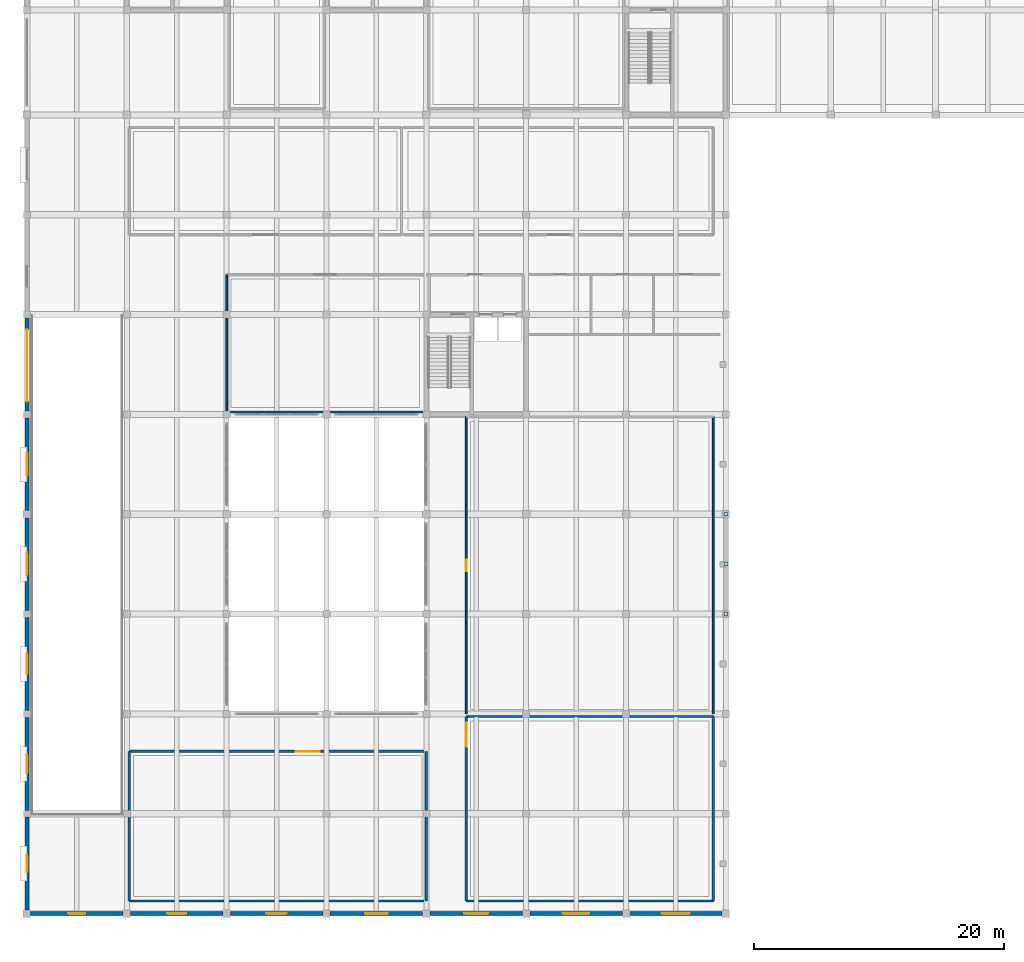
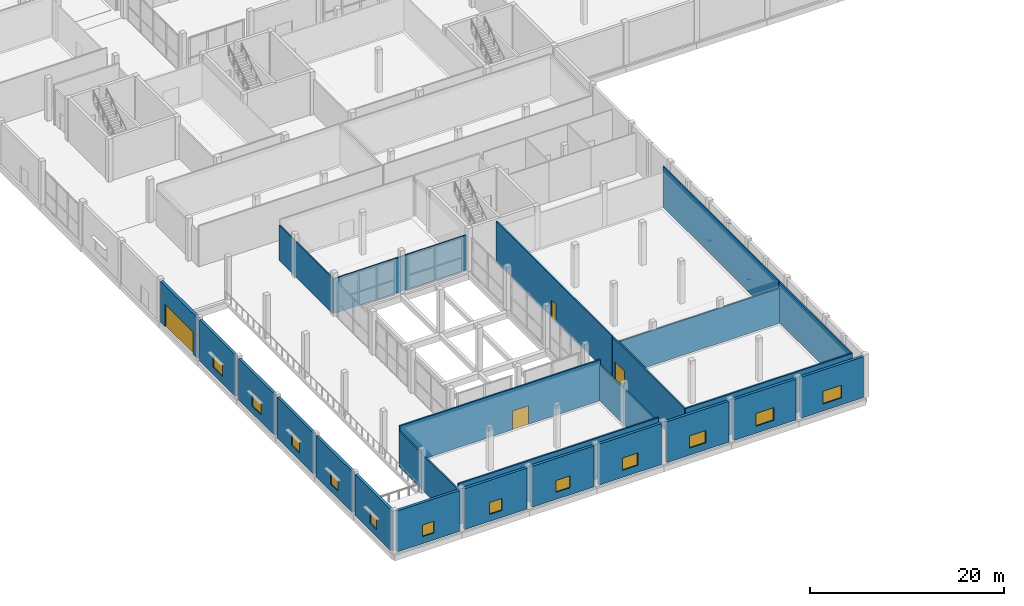
# One storey, part 23 of 41: 25 walls, 12 windows, 4 doors, 3 plates, 16 openings.
"""IFC4 building model written with IfcOpenShell, lengths in metres."""

from ifc_helpers import new_model, si_unit, direction, frame, frame_2d, origin, origin_2d, place, context, subcontext, project, spatial, rectangle, extrude, material, layer, layer_set, type_object, element, fill, save


model = new_model("IFC4")

# Units and contexts
model_context = context("Model", 3, precision=1e-05, world=origin(), true_north=direction((0.0, 1.0)))
body_context = subcontext(model_context, "Body", "Model", "MODEL_VIEW")
ifc_project = project(units=[si_unit("LENGTHUNIT", "METRE"), si_unit("AREAUNIT", "SQUARE_METRE"), si_unit("VOLUMEUNIT", "CUBIC_METRE"), si_unit("PLANEANGLEUNIT", "RADIAN"), si_unit("MASSUNIT", "GRAM", prefix="KILO")], contexts=[model_context])

# Site, building, storey
site_placement = place(None, origin())
site = spatial("IfcSite", under=ifc_project, at=site_placement, CompositionType="ELEMENT")
building_placement = place(site_placement, origin())
building = spatial("IfcBuilding", under=site, at=building_placement, Name="Vharandega Faculty of Natural Sciences", CompositionType="ELEMENT")
storey_placement = place(building_placement, origin())
storey = spatial("IfcBuildingStorey", under=building, at=storey_placement, Name="L00", CompositionType="ELEMENT", Elevation=0.0)

# Plates
ifc_material_1 = material(Name="Steel S355", Category="steel")
ifc_layer_1 = layer(ifc_material_1, 0.02490234375, Name="Steel S355")
ifc_layer_set_1 = layer_set([ifc_layer_1], Name="Steel S355")
plate_type = type_object("IfcPlateType", Name="Hollow Section End Cap Plate 25mm", PredefinedType="USERDEFINED", material=ifc_layer_set_1)
plate_1_placement = place(storey_placement, frame((56.0, 24.0, 0.137451171875), z_axis=(0.0, 0.0, 1.0), x_axis=(1.0, 0.0, 0.0)))
element("IfcPlate", 1, at=plate_1_placement, inside=storey, type_object=plate_type, Name="Node Cap Plate CHV-E8-L00 #119", ObjectType="CAP PLATE", PredefinedType="USERDEFINED", context=body_context, shape_type="SweptSolid", body=[
    extrude(rectangle(XDim=0.300048828125, YDim=0.300048828125, at=origin_2d()), origin(), (0.0, 0.0, 1.0), 0.02490234375),
])
plate_2_placement = place(storey_placement, frame((56.0, 28.0, 4.757568359375), z_axis=(0.0, 0.0, 1.0), x_axis=(1.0, 0.0, 0.0)))
element("IfcPlate", 2, at=plate_2_placement, inside=storey, type_object=plate_type, Name="Node Cap Plate CHV-E8-L00 #120", ObjectType="CAP PLATE", PredefinedType="USERDEFINED", context=body_context, shape_type="SweptSolid", body=[
    extrude(rectangle(XDim=0.320068359375, YDim=0.320068359375, at=origin_2d()), origin(), (0.0, 0.0, 1.0), 0.02490234375),
])
plate_3_placement = place(storey_placement, frame((56.0, 32.0, 0.137451171875), z_axis=(0.0, 0.0, 1.0), x_axis=(1.0, 0.0, 0.0)))
element("IfcPlate", 3, at=plate_3_placement, inside=storey, type_object=plate_type, Name="Node Cap Plate CHV-E8-L00 #121", ObjectType="CAP PLATE", PredefinedType="USERDEFINED", context=body_context, shape_type="SweptSolid", body=[
    extrude(rectangle(XDim=0.300048828125, YDim=0.300048828125, at=origin_2d()), origin(), (0.0, 0.0, 1.0), 0.02490234375),
])

# Wall
ifc_material_2 = material(Name="Acoustic masonry blockwork 15 MPa", Category="masonry")
ifc_layer_2 = layer(ifc_material_2, 0.179931640625, Name="Acoustic masonry blockwork 15 MPa")
ifc_layer_set_2 = layer_set([ifc_layer_2], Name="Acoustic masonry blockwork 15 MPa")
wall_type_1 = type_object("IfcWallType", Name="Acoustic Lecture Wall 180", PredefinedType="PARTITIONING", material=ifc_layer_set_2)
wall_1_placement = place(storey_placement, frame((8.199951171875, 1.0, 0.0), z_axis=(0.0, 0.0, 1.0), x_axis=(1.0, 0.0, 0.0)))
element("IfcWall", 4, at=wall_1_placement, inside=storey, type_object=wall_type_1, Name="Interior Wall PW-L00-R01S", PredefinedType="PARTITIONING", context=body_context, shape_type="SweptSolid", body=[
    extrude(rectangle(XDim=23.800048828125, YDim=0.179931640625, at=frame_2d((11.89990234375, 0.0))), origin(), (0.0, 0.0, 1.0), 5.139892578125),
])

# Wall, opening, door
wall_2_placement = place(storey_placement, frame((8.199951171875, 13.0, 0.0), z_axis=(0.0, 0.0, 1.0), x_axis=(1.0, 0.0, 0.0)))
wall_2 = element("IfcWall", 5, at=wall_2_placement, inside=storey, type_object=wall_type_1, Name="Interior Wall PW-L00-R01N", PredefinedType="PARTITIONING", context=body_context, shape_type="SweptSolid", body=[
    extrude(rectangle(XDim=23.800048828125, YDim=0.179931640625, at=frame_2d((11.89990234375, 0.0))), origin(), (0.0, 0.0, 1.0), 5.139892578125),
])
opening_1_placement = place(wall_2_placement, frame((13.324951171875, 0.0, 0.0)))
opening_1 = element("IfcOpeningElement", 6, at=opening_1_placement, cuts=wall_2, Name="Opening D0229", PredefinedType="OPENING", context=body_context, shape_type="SweptSolid", body=[
    extrude(rectangle(XDim=1.949951171875, YDim=2.35009765625, at=frame_2d((0.97509765625, 1.175048828125))), frame((0.0, 0.10009765625, 0.0), z_axis=(0.0, -1.0, 0.0), x_axis=(1.0, 0.0, 0.0)), (0.0, 0.0, 1.0), 0.199951171875),
])
ifc_material_3 = material(Name="Solid-core hardwood timber fire door", Category="wood")
door_type_1 = type_object("IfcDoorType", Name="ID10-WORKSHOP-DBL-1950x2350", OperationType="DOUBLE_DOOR_SINGLE_SWING", PredefinedType="DOOR", material=ifc_material_3)
door_1_placement = place(opening_1_placement, origin())
door_1 = element("IfcDoor", 7, at=door_1_placement, inside=storey, type_object=door_type_1, Name="Geology Rock-Cutting and Thin-Section Workshop Door D0229", OperationType="DOUBLE_DOOR_SINGLE_SWING", OverallHeight=2.35009765625, OverallWidth=1.949951171875, PredefinedType="DOOR", context=body_context, shape_type="SweptSolid", body=[
    extrude(rectangle(XDim=1.949951171875, YDim=2.35009765625, at=frame_2d((0.97509765625, 1.175048828125))), frame((0.0, 0.02490234375, 0.0), z_axis=(0.0, -1.0, 0.0), x_axis=(1.0, 0.0, 0.0)), (0.0, 0.0, 1.0), 0.050048828125),
])
fill(opening_1, door_1)

# Walls
for number, where, z_axis, x_axis, name in (
    (8, (8.199951171875, 1.0, 0.0), (0.0, 0.0, 1.0), (0.0, 1.0, 0.0), "Interior Wall PW-L00-R01W"),
    (9, (32.0, 1.0, 0.0), (0.0, 0.0, 1.0), (0.0, 1.0, 0.0), "Interior Wall PW-L00-R01E"),
):
    element("IfcWall", number, at=place(storey_placement, frame(where, z_axis=z_axis, x_axis=x_axis)), inside=storey, type_object=wall_type_1, Name=name, PredefinedType="PARTITIONING", context=body_context, shape_type="SweptSolid", body=[
        extrude(rectangle(XDim=12.0, YDim=0.179931640625, at=frame_2d((6.0, 0.0))), origin(), (0.0, 0.0, 1.0), 4.469970703125),
    ])
wall_3_placement = place(storey_placement, frame((35.199951171875, 1.0, 0.0), z_axis=(0.0, 0.0, 1.0), x_axis=(1.0, 0.0, 0.0)))
element("IfcWall", 10, at=wall_3_placement, inside=storey, type_object=wall_type_1, Name="Interior Wall PW-L00-R02S", PredefinedType="PARTITIONING", context=body_context, shape_type="SweptSolid", body=[
    extrude(rectangle(XDim=19.800048828125, YDim=0.179931640625, at=frame_2d((9.89990234375, 0.0))), origin(), (0.0, 0.0, 1.0), 5.139892578125),
])
wall_4_placement = place(storey_placement, frame((35.199951171875, 15.800048828125, 0.0), z_axis=(0.0, 0.0, 1.0), x_axis=(1.0, 0.0, 0.0)))
element("IfcWall", 11, at=wall_4_placement, inside=storey, type_object=wall_type_1, Name="Interior Wall PW-L00-R02N", PredefinedType="PARTITIONING", context=body_context, shape_type="SweptSolid", body=[
    extrude(rectangle(XDim=19.800048828125, YDim=0.179931640625, at=frame_2d((9.89990234375, 0.0))), origin(), (0.0, 0.0, 1.0), 4.3701171875),
])

# Wall, opening, door
wall_5_placement = place(storey_placement, frame((35.199951171875, 1.0, 0.0), z_axis=(0.0, 0.0, 1.0), x_axis=(0.0, 1.0, 0.0)))
wall_5 = element("IfcWall", 12, at=wall_5_placement, inside=storey, type_object=wall_type_1, Name="Interior Wall PW-L00-R02W", PredefinedType="PARTITIONING", context=body_context, shape_type="SweptSolid", body=[
    extrude(rectangle(XDim=14.800048828125, YDim=0.179931640625, at=frame_2d((7.39990234375, 0.0))), origin(), (0.0, 0.0, 1.0), 5.139892578125),
])
opening_2_placement = place(wall_5_placement, frame((12.360107421875, 0.0, 0.0)))
opening_2 = element("IfcOpeningElement", 13, at=opening_2_placement, cuts=wall_5, Name="Opening D0230", PredefinedType="OPENING", context=body_context, shape_type="SweptSolid", body=[
    extrude(rectangle(XDim=1.949951171875, YDim=2.35009765625, at=frame_2d((0.97509765625, 1.175048828125))), frame((0.0, 0.10009765625, 0.0), z_axis=(0.0, -1.0, 0.0), x_axis=(1.0, 0.0, 0.0)), (0.0, 0.0, 1.0), 0.199951171875),
])
door_2_placement = place(opening_2_placement, origin())
door_2 = element("IfcDoor", 14, at=door_2_placement, inside=storey, type_object=door_type_1, Name="Earth-Science Mineralogy Teaching Workshop Door D0230", OperationType="DOUBLE_DOOR_SINGLE_SWING", OverallHeight=2.35009765625, OverallWidth=1.949951171875, PredefinedType="DOOR", context=body_context, shape_type="SweptSolid", body=[
    extrude(rectangle(XDim=1.949951171875, YDim=2.35009765625, at=frame_2d((0.97509765625, 1.175048828125))), frame((0.0, 0.02490234375, 0.0), z_axis=(0.0, -1.0, 0.0), x_axis=(1.0, 0.0, 0.0)), (0.0, 0.0, 1.0), 0.050048828125),
])
fill(opening_2, door_2)

# Wall
wall_6_placement = place(storey_placement, frame((55.0, 1.0, 0.0), z_axis=(0.0, 0.0, 1.0), x_axis=(0.0, 1.0, 0.0)))
element("IfcWall", 15, at=wall_6_placement, inside=storey, type_object=wall_type_1, Name="Interior Wall PW-L00-R02E", PredefinedType="PARTITIONING", context=body_context, shape_type="SweptSolid", body=[
    extrude(rectangle(XDim=14.800048828125, YDim=0.179931640625, at=frame_2d((7.39990234375, 0.0))), origin(), (0.0, 0.0, 1.0), 5.139892578125),
])

# Wall, opening, window
ifc_material_4 = material(Name="Granite ashlar masonry 25 MPa", Category="masonry")
ifc_layer_3 = layer(ifc_material_4, 0.320068359375, Name="Granite ashlar masonry 25 MPa")
ifc_layer_set_3 = layer_set([ifc_layer_3], Name="Granite ashlar masonry 25 MPa")
wall_type_2 = type_object("IfcWallType", Name="Harare Granite Plinth Wall 320", PredefinedType="SOLIDWALL", material=ifc_layer_set_3)
wall_7_placement = place(storey_placement, frame((0.0, 0.298095703125, 0.0), z_axis=(0.0, 0.0, 1.0), x_axis=(0.0, 1.0, 0.0)))
wall_7 = element("IfcWall", 16, at=wall_7_placement, inside=storey, type_object=wall_type_2, Name="Exterior Wall EW-V5W-L00-A", PredefinedType="SOLIDWALL", context=body_context, shape_type="SweptSolid", body=[
    extrude(rectangle(XDim=7.428955078125, YDim=0.320068359375, at=frame_2d((3.71435546875, 0.0))), origin(), (0.0, 0.0, 1.0), 5.139892578125),
])
opening_3_placement = place(wall_7_placement, frame((3.027099609375, 0.0, 0.8798828125)))
opening_3 = element("IfcOpeningElement", 17, at=opening_3_placement, cuts=wall_7, Name="Opening WN-17", PredefinedType="OPENING", context=body_context, shape_type="SweptSolid", body=[
    extrude(rectangle(XDim=1.35009765625, YDim=1.449951171875, at=frame_2d((0.675048828125, 0.72509765625))), frame((0.0, 0.169921875, 0.0), z_axis=(0.0, -1.0, 0.0), x_axis=(1.0, 0.0, 0.0)), (0.0, 0.0, 1.0), 0.340087890625),
])
ifc_material_5 = material(Name="Double-glazed solar-control glass in thermally broken aluminium frame", Category="aluminium")
window_type_1 = type_object("IfcWindowType", Name="WIN-SEM-135x145", PartitioningType="SINGLE_PANEL", PredefinedType="WINDOW", material=ifc_material_5)
window_1_placement = place(opening_3_placement, origin())
window_1 = element("IfcWindow", 18, at=window_1_placement, inside=storey, type_object=window_type_1, Name="Window WIN-L00-0207", OverallHeight=1.449951171875, OverallWidth=1.35009765625, PartitioningType="SINGLE_PANEL", PredefinedType="WINDOW", context=body_context, shape_type="SweptSolid", body=[
    extrude(rectangle(XDim=1.35009765625, YDim=1.449951171875, at=frame_2d((0.675048828125, 0.72509765625))), frame((0.0, 0.030029296875, 0.0), z_axis=(0.0, -1.0, 0.0), x_axis=(1.0, 0.0, 0.0)), (0.0, 0.0, 1.0), 0.06005859375),
])
fill(opening_3, window_1)

wall_8_placement = place(storey_placement, frame((0.0, 8.27294921875, 0.0), z_axis=(0.0, 0.0, 1.0), x_axis=(0.0, 1.0, 0.0)))
wall_8 = element("IfcWall", 19, at=wall_8_placement, inside=storey, type_object=wall_type_2, Name="Exterior Wall EW-V5W-L00-B", PredefinedType="SOLIDWALL", context=body_context, shape_type="SweptSolid", body=[
    extrude(rectangle(XDim=7.4541015625, YDim=0.320068359375, at=frame_2d((3.72705078125, 0.0))), origin(), (0.0, 0.0, 1.0), 5.139892578125),
])
opening_4_placement = place(wall_8_placement, frame((2.97705078125, 0.0, 0.8798828125)))
opening_4 = element("IfcOpeningElement", 20, at=opening_4_placement, cuts=wall_8, Name="Opening WN-18", PredefinedType="OPENING", context=body_context, shape_type="SweptSolid", body=[
    extrude(rectangle(XDim=1.5, YDim=1.5, at=frame_2d((0.75, 0.75))), frame((0.0, 0.169921875, 0.0), z_axis=(0.0, -1.0, 0.0), x_axis=(1.0, 0.0, 0.0)), (0.0, 0.0, 1.0), 0.340087890625),
])
ifc_material_6 = material(Name="Double-glazed solar-control glass in thermally broken aluminium frame", Category="aluminium")
window_type_2 = type_object("IfcWindowType", Name="WIN-SEM-150x150", PartitioningType="SINGLE_PANEL", PredefinedType="WINDOW", material=ifc_material_6)
window_2_placement = place(opening_4_placement, origin())
window_2 = element("IfcWindow", 21, at=window_2_placement, inside=storey, type_object=window_type_2, Name="Window WIN-L00-0208", OverallHeight=1.5, OverallWidth=1.5, PartitioningType="SINGLE_PANEL", PredefinedType="WINDOW", context=body_context, shape_type="SweptSolid", body=[
    extrude(rectangle(XDim=1.5, YDim=1.5, at=frame_2d((0.75, 0.75))), frame((0.0, 0.030029296875, 0.0), z_axis=(0.0, -1.0, 0.0), x_axis=(1.0, 0.0, 0.0)), (0.0, 0.0, 1.0), 0.06005859375),
])
fill(opening_4, window_2)

wall_9_placement = place(storey_placement, frame((0.0, 16.27294921875, 0.0), z_axis=(0.0, 0.0, 1.0), x_axis=(0.0, 1.0, 0.0)))
wall_9 = element("IfcWall", 22, at=wall_9_placement, inside=storey, type_object=wall_type_2, Name="Exterior Wall EW-V5W-L00-C", PredefinedType="SOLIDWALL", context=body_context, shape_type="SweptSolid", body=[
    extrude(rectangle(XDim=7.4541015625, YDim=0.320068359375, at=frame_2d((3.72705078125, 0.0))), origin(), (0.0, 0.0, 1.0), 5.139892578125),
])
opening_5_placement = place(wall_9_placement, frame((2.902099609375, 0.0, 0.8798828125)))
opening_5 = element("IfcOpeningElement", 23, at=opening_5_placement, cuts=wall_9, Name="Opening WN-19", PredefinedType="OPENING", context=body_context, shape_type="SweptSolid", body=[
    extrude(rectangle(XDim=1.64990234375, YDim=1.5, at=frame_2d((0.824951171875, 0.75))), frame((0.0, 0.169921875, 0.0), z_axis=(0.0, -1.0, 0.0), x_axis=(1.0, 0.0, 0.0)), (0.0, 0.0, 1.0), 0.340087890625),
])
ifc_material_7 = material(Name="Double-glazed solar-control glass in thermally broken aluminium frame", Category="aluminium")
window_type_3 = type_object("IfcWindowType", Name="WIN-SEM-165x150", PartitioningType="SINGLE_PANEL", PredefinedType="WINDOW", material=ifc_material_7)
window_3_placement = place(opening_5_placement, origin())
window_3 = element("IfcWindow", 24, at=window_3_placement, inside=storey, type_object=window_type_3, Name="Window WIN-L00-0209", OverallHeight=1.5, OverallWidth=1.64990234375, PartitioningType="SINGLE_PANEL", PredefinedType="WINDOW", context=body_context, shape_type="SweptSolid", body=[
    extrude(rectangle(XDim=1.64990234375, YDim=1.5, at=frame_2d((0.824951171875, 0.75))), frame((0.0, 0.030029296875, 0.0), z_axis=(0.0, -1.0, 0.0), x_axis=(1.0, 0.0, 0.0)), (0.0, 0.0, 1.0), 0.06005859375),
])
fill(opening_5, window_3)

wall_10_placement = place(storey_placement, frame((0.0, 24.27294921875, 0.0), z_axis=(0.0, 0.0, 1.0), x_axis=(0.0, 1.0, 0.0)))
wall_10 = element("IfcWall", 25, at=wall_10_placement, inside=storey, type_object=wall_type_2, Name="Exterior Wall EW-V5W-L00-D", PredefinedType="SOLIDWALL", context=body_context, shape_type="SweptSolid", body=[
    extrude(rectangle(XDim=7.428955078125, YDim=0.320068359375, at=frame_2d((3.71435546875, 0.0))), origin(), (0.0, 0.0, 1.0), 5.139892578125),
])
opening_6_placement = place(wall_10_placement, frame((2.826904296875, 0.0, 0.8798828125)))
opening_6 = element("IfcOpeningElement", 26, at=opening_6_placement, cuts=wall_10, Name="Opening WN-20", PredefinedType="OPENING", context=body_context, shape_type="SweptSolid", body=[
    extrude(rectangle(XDim=1.800048828125, YDim=1.550048828125, at=frame_2d((0.89990234375, 0.77490234375))), frame((0.0, 0.169921875, 0.0), z_axis=(0.0, -1.0, 0.0), x_axis=(1.0, 0.0, 0.0)), (0.0, 0.0, 1.0), 0.340087890625),
])
ifc_material_8 = material(Name="Double-glazed solar-control glass in thermally broken aluminium frame", Category="aluminium")
window_type_4 = type_object("IfcWindowType", Name="WIN-SEM-180x155", PartitioningType="DOUBLE_PANEL_VERTICAL", PredefinedType="WINDOW", material=ifc_material_8)
window_4_placement = place(opening_6_placement, origin())
window_4 = element("IfcWindow", 27, at=window_4_placement, inside=storey, type_object=window_type_4, Name="Window WIN-L00-0210", OverallHeight=1.550048828125, OverallWidth=1.800048828125, PartitioningType="SINGLE_PANEL", PredefinedType="WINDOW", context=body_context, shape_type="SweptSolid", body=[
    extrude(rectangle(XDim=1.800048828125, YDim=1.550048828125, at=frame_2d((0.89990234375, 0.77490234375))), frame((0.0, 0.030029296875, 0.0), z_axis=(0.0, -1.0, 0.0), x_axis=(1.0, 0.0, 0.0)), (0.0, 0.0, 1.0), 0.06005859375),
])
fill(opening_6, window_4)

wall_11_placement = place(storey_placement, frame((0.0, 32.298095703125, 0.0), z_axis=(0.0, 0.0, 1.0), x_axis=(0.0, 1.0, 0.0)))
wall_11 = element("IfcWall", 28, at=wall_11_placement, inside=storey, type_object=wall_type_2, Name="Exterior Wall EW-V5W-L00-E", PredefinedType="SOLIDWALL", context=body_context, shape_type="SweptSolid", body=[
    extrude(rectangle(XDim=7.428955078125, YDim=0.320068359375, at=frame_2d((3.71435546875, 0.0))), origin(), (0.0, 0.0, 1.0), 5.139892578125),
])
opening_7_placement = place(wall_11_placement, frame((2.72705078125, 0.0, 0.8798828125)))
opening_7 = element("IfcOpeningElement", 29, at=opening_7_placement, cuts=wall_11, Name="Opening WN-21", PredefinedType="OPENING", context=body_context, shape_type="SweptSolid", body=[
    extrude(rectangle(XDim=1.949951171875, YDim=1.550048828125, at=frame_2d((0.97509765625, 0.77490234375))), frame((0.0, 0.169921875, 0.0), z_axis=(0.0, -1.0, 0.0), x_axis=(1.0, 0.0, 0.0)), (0.0, 0.0, 1.0), 0.340087890625),
])
ifc_material_9 = material(Name="Double-glazed solar-control glass in thermally broken aluminium frame", Category="aluminium")
window_type_5 = type_object("IfcWindowType", Name="WIN-SEM-195x155", PartitioningType="DOUBLE_PANEL_VERTICAL", PredefinedType="WINDOW", material=ifc_material_9)
window_5_placement = place(opening_7_placement, origin())
window_5 = element("IfcWindow", 30, at=window_5_placement, inside=storey, type_object=window_type_5, Name="Window WIN-L00-0211", OverallHeight=1.550048828125, OverallWidth=1.949951171875, PartitioningType="SINGLE_PANEL", PredefinedType="WINDOW", context=body_context, shape_type="SweptSolid", body=[
    extrude(rectangle(XDim=1.949951171875, YDim=1.550048828125, at=frame_2d((0.97509765625, 0.77490234375))), frame((0.0, 0.030029296875, 0.0), z_axis=(0.0, -1.0, 0.0), x_axis=(1.0, 0.0, 0.0)), (0.0, 0.0, 1.0), 0.06005859375),
])
fill(opening_7, window_5)

# Wall, opening, door
wall_12_placement = place(storey_placement, frame((0.0, 40.27294921875, 0.0), z_axis=(0.0, 0.0, 1.0), x_axis=(0.0, 1.0, 0.0)))
wall_12 = element("IfcWall", 31, at=wall_12_placement, inside=storey, type_object=wall_type_2, Name="Exterior Wall EW-V5W-L00-F", PredefinedType="SOLIDWALL", context=body_context, shape_type="SweptSolid", body=[
    extrude(rectangle(XDim=7.4541015625, YDim=0.320068359375, at=frame_2d((3.72705078125, 0.0))), origin(), (0.0, 0.0, 1.0), 5.139892578125),
])
opening_8_placement = place(wall_12_placement, frame((0.7470703125, 0.0, 0.0)))
opening_8 = element("IfcOpeningElement", 32, at=opening_8_placement, cuts=wall_12, Name="Opening VD-01", PredefinedType="OPENING", context=body_context, shape_type="SweptSolid", body=[
    extrude(rectangle(XDim=5.800048828125, YDim=2.800048828125, at=frame_2d((2.89990234375, 1.39990234375))), frame((0.0, 0.169921875, 0.0), z_axis=(0.0, -1.0, 0.0), x_axis=(1.0, 0.0, 0.0)), (0.0, 0.0, 1.0), 0.340087890625),
])
ifc_material_10 = material(Name="Galvanised steel roller shutter", Category="steel")
door_type_2 = type_object("IfcDoorType", Name="VEH-RAMP-SHUTTER-5800x2800", OperationType="ROLLINGUP", PredefinedType="GATE", material=ifc_material_10)
door_3_placement = place(opening_8_placement, origin())
door_3 = element("IfcDoor", 33, at=door_3_placement, inside=storey, type_object=door_type_2, Name="Car Park Ramp Shutter Gate VD-01", OperationType="ROLLINGUP", OverallHeight=2.800048828125, OverallWidth=5.800048828125, PredefinedType="GATE", context=body_context, shape_type="SweptSolid", body=[
    extrude(rectangle(XDim=5.800048828125, YDim=2.800048828125, at=frame_2d((2.89990234375, 1.39990234375))), frame((0.0, 0.02490234375, 0.0), z_axis=(0.0, -1.0, 0.0), x_axis=(1.0, 0.0, 0.0)), (0.0, 0.0, 1.0), 0.050048828125),
])
fill(opening_8, door_3)

# Wall, opening, window
wall_13_placement = place(storey_placement, frame((7.701904296875, 0.0, 0.0), z_axis=(0.0, 0.0, 1.0), x_axis=(-1.0, 0.0, 0.0)))
wall_13 = element("IfcWall", 34, at=wall_13_placement, inside=storey, type_object=wall_type_2, Name="Exterior Wall EW-V5S-L00-1", PredefinedType="SOLIDWALL", context=body_context, shape_type="SweptSolid", body=[
    extrude(rectangle(XDim=7.40380859375, YDim=0.320068359375, at=frame_2d((3.701904296875, 0.0))), origin(), (0.0, 0.0, 1.0), 5.139892578125),
])
opening_9_placement = place(wall_13_placement, frame((3.027099609375, 0.0, 0.8798828125)))
opening_9 = element("IfcOpeningElement", 35, at=opening_9_placement, cuts=wall_13, Name="Opening WN-17", PredefinedType="OPENING", context=body_context, shape_type="SweptSolid", body=[
    extrude(rectangle(XDim=1.35009765625, YDim=1.449951171875, at=frame_2d((0.675048828125, 0.72509765625))), frame((0.0, 0.169921875, 0.0), z_axis=(0.0, -1.0, 0.0), x_axis=(1.0, 0.0, 0.0)), (0.0, 0.0, 1.0), 0.340087890625),
])
window_6_placement = place(opening_9_placement, origin())
window_6 = element("IfcWindow", 36, at=window_6_placement, inside=storey, type_object=window_type_1, Name="Window WIN-L00-0213", OverallHeight=1.449951171875, OverallWidth=1.35009765625, PartitioningType="SINGLE_PANEL", PredefinedType="WINDOW", context=body_context, shape_type="SweptSolid", body=[
    extrude(rectangle(XDim=1.35009765625, YDim=1.449951171875, at=frame_2d((0.675048828125, 0.72509765625))), frame((0.0, 0.030029296875, 0.0), z_axis=(0.0, -1.0, 0.0), x_axis=(1.0, 0.0, 0.0)), (0.0, 0.0, 1.0), 0.06005859375),
])
fill(opening_9, window_6)

wall_14_placement = place(storey_placement, frame((15.701904296875, 0.0, 0.0), z_axis=(0.0, 0.0, 1.0), x_axis=(-1.0, 0.0, 0.0)))
wall_14 = element("IfcWall", 37, at=wall_14_placement, inside=storey, type_object=wall_type_2, Name="Exterior Wall EW-V5S-L00-2", PredefinedType="SOLIDWALL", context=body_context, shape_type="SweptSolid", body=[
    extrude(rectangle(XDim=7.40380859375, YDim=0.320068359375, at=frame_2d((3.701904296875, 0.0))), origin(), (0.0, 0.0, 1.0), 5.139892578125),
])
opening_10_placement = place(wall_14_placement, frame((2.951904296875, 0.0, 0.8798828125)))
opening_10 = element("IfcOpeningElement", 38, at=opening_10_placement, cuts=wall_14, Name="Opening WN-18", PredefinedType="OPENING", context=body_context, shape_type="SweptSolid", body=[
    extrude(rectangle(XDim=1.5, YDim=1.5, at=frame_2d((0.75, 0.75))), frame((0.0, 0.169921875, 0.0), z_axis=(0.0, -1.0, 0.0), x_axis=(1.0, 0.0, 0.0)), (0.0, 0.0, 1.0), 0.340087890625),
])
window_7_placement = place(opening_10_placement, origin())
window_7 = element("IfcWindow", 39, at=window_7_placement, inside=storey, type_object=window_type_2, Name="Window WIN-L00-0214", OverallHeight=1.5, OverallWidth=1.5, PartitioningType="SINGLE_PANEL", PredefinedType="WINDOW", context=body_context, shape_type="SweptSolid", body=[
    extrude(rectangle(XDim=1.5, YDim=1.5, at=frame_2d((0.75, 0.75))), frame((0.0, 0.030029296875, 0.0), z_axis=(0.0, -1.0, 0.0), x_axis=(1.0, 0.0, 0.0)), (0.0, 0.0, 1.0), 0.06005859375),
])
fill(opening_10, window_7)

wall_15_placement = place(storey_placement, frame((23.701904296875, 0.0, 0.0), z_axis=(0.0, 0.0, 1.0), x_axis=(-1.0, 0.0, 0.0)))
wall_15 = element("IfcWall", 40, at=wall_15_placement, inside=storey, type_object=wall_type_2, Name="Exterior Wall EW-V5S-L00-3", PredefinedType="SOLIDWALL", context=body_context, shape_type="SweptSolid", body=[
    extrude(rectangle(XDim=7.40380859375, YDim=0.320068359375, at=frame_2d((3.701904296875, 0.0))), origin(), (0.0, 0.0, 1.0), 5.139892578125),
])
opening_11_placement = place(wall_15_placement, frame((2.876953125, 0.0, 0.8798828125)))
opening_11 = element("IfcOpeningElement", 41, at=opening_11_placement, cuts=wall_15, Name="Opening WN-19", PredefinedType="OPENING", context=body_context, shape_type="SweptSolid", body=[
    extrude(rectangle(XDim=1.64990234375, YDim=1.5, at=frame_2d((0.824951171875, 0.75))), frame((0.0, 0.169921875, 0.0), z_axis=(0.0, -1.0, 0.0), x_axis=(1.0, 0.0, 0.0)), (0.0, 0.0, 1.0), 0.340087890625),
])
window_8_placement = place(opening_11_placement, origin())
window_8 = element("IfcWindow", 42, at=window_8_placement, inside=storey, type_object=window_type_3, Name="Window WIN-L00-0215", OverallHeight=1.5, OverallWidth=1.64990234375, PartitioningType="SINGLE_PANEL", PredefinedType="WINDOW", context=body_context, shape_type="SweptSolid", body=[
    extrude(rectangle(XDim=1.64990234375, YDim=1.5, at=frame_2d((0.824951171875, 0.75))), frame((0.0, 0.030029296875, 0.0), z_axis=(0.0, -1.0, 0.0), x_axis=(1.0, 0.0, 0.0)), (0.0, 0.0, 1.0), 0.06005859375),
])
fill(opening_11, window_8)

wall_16_placement = place(storey_placement, frame((31.701904296875, 0.0, 0.0), z_axis=(0.0, 0.0, 1.0), x_axis=(-1.0, 0.0, 0.0)))
wall_16 = element("IfcWall", 43, at=wall_16_placement, inside=storey, type_object=wall_type_2, Name="Exterior Wall EW-V5S-L00-4", PredefinedType="SOLIDWALL", context=body_context, shape_type="SweptSolid", body=[
    extrude(rectangle(XDim=7.40380859375, YDim=0.320068359375, at=frame_2d((3.701904296875, 0.0))), origin(), (0.0, 0.0, 1.0), 5.139892578125),
])
opening_12_placement = place(wall_16_placement, frame((2.802001953125, 0.0, 0.8798828125)))
opening_12 = element("IfcOpeningElement", 44, at=opening_12_placement, cuts=wall_16, Name="Opening WN-20", PredefinedType="OPENING", context=body_context, shape_type="SweptSolid", body=[
    extrude(rectangle(XDim=1.800048828125, YDim=1.550048828125, at=frame_2d((0.89990234375, 0.77490234375))), frame((0.0, 0.169921875, 0.0), z_axis=(0.0, -1.0, 0.0), x_axis=(1.0, 0.0, 0.0)), (0.0, 0.0, 1.0), 0.340087890625),
])
window_9_placement = place(opening_12_placement, origin())
window_9 = element("IfcWindow", 45, at=window_9_placement, inside=storey, type_object=window_type_4, Name="Window WIN-L00-0216", OverallHeight=1.550048828125, OverallWidth=1.800048828125, PartitioningType="SINGLE_PANEL", PredefinedType="WINDOW", context=body_context, shape_type="SweptSolid", body=[
    extrude(rectangle(XDim=1.800048828125, YDim=1.550048828125, at=frame_2d((0.89990234375, 0.77490234375))), frame((0.0, 0.030029296875, 0.0), z_axis=(0.0, -1.0, 0.0), x_axis=(1.0, 0.0, 0.0)), (0.0, 0.0, 1.0), 0.06005859375),
])
fill(opening_12, window_9)

wall_17_placement = place(storey_placement, frame((39.701904296875, 0.0, 0.0), z_axis=(0.0, 0.0, 1.0), x_axis=(-1.0, 0.0, 0.0)))
wall_17 = element("IfcWall", 46, at=wall_17_placement, inside=storey, type_object=wall_type_2, Name="Exterior Wall EW-V5S-L00-5", PredefinedType="SOLIDWALL", context=body_context, shape_type="SweptSolid", body=[
    extrude(rectangle(XDim=7.40380859375, YDim=0.320068359375, at=frame_2d((3.701904296875, 0.0))), origin(), (0.0, 0.0, 1.0), 5.139892578125),
])
opening_13_placement = place(wall_17_placement, frame((2.72705078125, 0.0, 0.8798828125)))
opening_13 = element("IfcOpeningElement", 47, at=opening_13_placement, cuts=wall_17, Name="Opening WN-21", PredefinedType="OPENING", context=body_context, shape_type="SweptSolid", body=[
    extrude(rectangle(XDim=1.949951171875, YDim=1.550048828125, at=frame_2d((0.97509765625, 0.77490234375))), frame((0.0, 0.169921875, 0.0), z_axis=(0.0, -1.0, 0.0), x_axis=(1.0, 0.0, 0.0)), (0.0, 0.0, 1.0), 0.340087890625),
])
window_10_placement = place(opening_13_placement, origin())
window_10 = element("IfcWindow", 48, at=window_10_placement, inside=storey, type_object=window_type_5, Name="Window WIN-L00-0217", OverallHeight=1.550048828125, OverallWidth=1.949951171875, PartitioningType="SINGLE_PANEL", PredefinedType="WINDOW", context=body_context, shape_type="SweptSolid", body=[
    extrude(rectangle(XDim=1.949951171875, YDim=1.550048828125, at=frame_2d((0.97509765625, 0.77490234375))), frame((0.0, 0.030029296875, 0.0), z_axis=(0.0, -1.0, 0.0), x_axis=(1.0, 0.0, 0.0)), (0.0, 0.0, 1.0), 0.06005859375),
])
fill(opening_13, window_10)

wall_18_placement = place(storey_placement, frame((47.701904296875, 0.0, 0.0), z_axis=(0.0, 0.0, 1.0), x_axis=(-1.0, 0.0, 0.0)))
wall_18 = element("IfcWall", 49, at=wall_18_placement, inside=storey, type_object=wall_type_2, Name="Exterior Wall EW-V5S-L00-6", PredefinedType="SOLIDWALL", context=body_context, shape_type="SweptSolid", body=[
    extrude(rectangle(XDim=7.40380859375, YDim=0.320068359375, at=frame_2d((3.701904296875, 0.0))), origin(), (0.0, 0.0, 1.0), 5.139892578125),
])
opening_14_placement = place(wall_18_placement, frame((2.652099609375, 0.0, 0.8798828125)))
opening_14 = element("IfcOpeningElement", 50, at=opening_14_placement, cuts=wall_18, Name="Opening WN-22", PredefinedType="OPENING", context=body_context, shape_type="SweptSolid", body=[
    extrude(rectangle(XDim=2.10009765625, YDim=1.60009765625, at=frame_2d((1.050048828125, 0.800048828125))), frame((0.0, 0.169921875, 0.0), z_axis=(0.0, -1.0, 0.0), x_axis=(1.0, 0.0, 0.0)), (0.0, 0.0, 1.0), 0.340087890625),
])
ifc_material_11 = material(Name="Double-glazed solar-control glass in thermally broken aluminium frame", Category="aluminium")
window_type_6 = type_object("IfcWindowType", Name="WIN-SEM-210x160", PartitioningType="DOUBLE_PANEL_VERTICAL", PredefinedType="WINDOW", material=ifc_material_11)
window_11_placement = place(opening_14_placement, origin())
window_11 = element("IfcWindow", 51, at=window_11_placement, inside=storey, type_object=window_type_6, Name="Window WIN-L00-0218", OverallHeight=1.60009765625, OverallWidth=2.10009765625, PartitioningType="SINGLE_PANEL", PredefinedType="WINDOW", context=body_context, shape_type="SweptSolid", body=[
    extrude(rectangle(XDim=2.10009765625, YDim=1.60009765625, at=frame_2d((1.050048828125, 0.800048828125))), frame((0.0, 0.030029296875, 0.0), z_axis=(0.0, -1.0, 0.0), x_axis=(1.0, 0.0, 0.0)), (0.0, 0.0, 1.0), 0.06005859375),
])
fill(opening_14, window_11)

wall_19_placement = place(storey_placement, frame((55.701904296875, 0.0, 0.0), z_axis=(0.0, 0.0, 1.0), x_axis=(-1.0, 0.0, 0.0)))
wall_19 = element("IfcWall", 52, at=wall_19_placement, inside=storey, type_object=wall_type_2, Name="Exterior Wall EW-V5S-L00-7", PredefinedType="SOLIDWALL", context=body_context, shape_type="SweptSolid", body=[
    extrude(rectangle(XDim=7.40380859375, YDim=0.320068359375, at=frame_2d((3.701904296875, 0.0))), origin(), (0.0, 0.0, 1.0), 5.139892578125),
])
opening_15_placement = place(wall_19_placement, frame((2.576904296875, 0.0, 0.8798828125)))
opening_15 = element("IfcOpeningElement", 53, at=opening_15_placement, cuts=wall_19, Name="Opening WN-23", PredefinedType="OPENING", context=body_context, shape_type="SweptSolid", body=[
    extrude(rectangle(XDim=2.25, YDim=1.60009765625, at=frame_2d((1.125, 0.800048828125))), frame((0.0, 0.169921875, 0.0), z_axis=(0.0, -1.0, 0.0), x_axis=(1.0, 0.0, 0.0)), (0.0, 0.0, 1.0), 0.340087890625),
])
ifc_material_12 = material(Name="Double-glazed solar-control glass in thermally broken aluminium frame", Category="aluminium")
window_type_7 = type_object("IfcWindowType", Name="WIN-SEM-225x160", PartitioningType="DOUBLE_PANEL_VERTICAL", PredefinedType="WINDOW", material=ifc_material_12)
window_12_placement = place(opening_15_placement, origin())
window_12 = element("IfcWindow", 54, at=window_12_placement, inside=storey, type_object=window_type_7, Name="Window WIN-L00-0219", OverallHeight=1.60009765625, OverallWidth=2.25, PartitioningType="SINGLE_PANEL", PredefinedType="WINDOW", context=body_context, shape_type="SweptSolid", body=[
    extrude(rectangle(XDim=2.25, YDim=1.60009765625, at=frame_2d((1.125, 0.800048828125))), frame((0.0, 0.030029296875, 0.0), z_axis=(0.0, -1.0, 0.0), x_axis=(1.0, 0.0, 0.0)), (0.0, 0.0, 1.0), 0.06005859375),
])
fill(opening_15, window_12)

# Wall, opening, door
ifc_material_13 = material(Name="Gypsum acoustic partition", Category="gypsum")
ifc_layer_4 = layer(ifc_material_13, 0.139892578125, Name="Gypsum acoustic partition")
ifc_layer_set_4 = layer_set([ifc_layer_4], Name="Gypsum acoustic partition")
wall_type_3 = type_object("IfcWallType", Name="Room Partition Wall 140", PredefinedType="PARTITIONING", material=ifc_layer_set_4)
wall_20_placement = place(storey_placement, frame((35.199951171875, 16.0, 0.0), z_axis=(0.0, 0.0, 1.0), x_axis=(0.0, 1.0, 0.0)))
wall_20 = element("IfcWall", 55, at=wall_20_placement, inside=storey, type_object=wall_type_3, Name="Interior Wall PW-L00-R03W", PredefinedType="PARTITIONING", context=body_context, shape_type="SweptSolid", body=[
    extrude(rectangle(XDim=23.800048828125, YDim=0.139892578125, at=frame_2d((11.89990234375, 0.0))), origin(), (0.0, 0.0, 1.0), 5.139892578125),
])
opening_16_placement = place(wall_20_placement, frame((11.43994140625, 0.0, 0.0)))
opening_16 = element("IfcOpeningElement", 56, at=opening_16_placement, cuts=wall_20, Name="Opening D0231", PredefinedType="OPENING", context=body_context, shape_type="SweptSolid", body=[
    extrude(rectangle(XDim=0.919921875, YDim=2.14990234375, at=frame_2d((0.4599609375, 1.074951171875))), frame((0.0, 0.080078125, 0.0), z_axis=(0.0, -1.0, 0.0), x_axis=(1.0, 0.0, 0.0)), (0.0, 0.0, 1.0), 0.159912109375),
])
ifc_material_14 = material(Name="Solid-core hardwood timber fire door", Category="wood")
door_type_3 = type_object("IfcDoorType", Name="ID05-OFFICE-0920x2150", OperationType="NOTDEFINED", PredefinedType="DOOR", material=ifc_material_14)
door_4_placement = place(opening_16_placement, origin())
door_4 = element("IfcDoor", 57, at=door_4_placement, inside=storey, type_object=door_type_3, Name="Botanical Specimen Pressing and Mounting Hall Door D0231", OperationType="SINGLE_SWING_RIGHT", OverallHeight=2.14990234375, OverallWidth=0.919921875, PredefinedType="DOOR", context=body_context, shape_type="SweptSolid", body=[
    extrude(rectangle(XDim=0.919921875, YDim=2.14990234375, at=frame_2d((0.4599609375, 1.074951171875))), frame((0.0, 0.02490234375, 0.0), z_axis=(0.0, -1.0, 0.0), x_axis=(1.0, 0.0, 0.0)), (0.0, 0.0, 1.0), 0.050048828125),
])
fill(opening_16, door_4)

# Walls
wall_21_placement = place(storey_placement, frame((55.0, 16.0, 0.0), z_axis=(0.0, 0.0, 1.0), x_axis=(0.0, 1.0, 0.0)))
element("IfcWall", 58, at=wall_21_placement, inside=storey, type_object=wall_type_3, Name="Interior Wall PW-L00-R03E", PredefinedType="PARTITIONING", context=body_context, shape_type="SweptSolid", body=[
    extrude(rectangle(XDim=23.800048828125, YDim=0.139892578125, at=frame_2d((11.89990234375, 0.0))), origin(), (0.0, 0.0, 1.0), 5.139892578125),
])
wall_22_placement = place(storey_placement, frame((16.0, 40.199951171875, 0.0), z_axis=(0.0, 0.0, 1.0), x_axis=(1.0, 0.0, 0.0)))
element("IfcWall", 59, at=wall_22_placement, inside=storey, type_object=wall_type_3, Name="Interior Wall PW-L00-R04S", PredefinedType="PARTITIONING", context=body_context, shape_type="SweptSolid", body=[
    extrude(rectangle(XDim=15.800048828125, YDim=0.139892578125, at=frame_2d((7.89990234375, 0.0))), origin(), (0.0, 0.0, 1.0), 4.3701171875),
])
wall_23_placement = place(storey_placement, frame((16.0, 40.199951171875, 0.0), z_axis=(0.0, 0.0, 1.0), x_axis=(0.0, 1.0, 0.0)))
element("IfcWall", 60, at=wall_23_placement, inside=storey, type_object=wall_type_3, Name="Interior Wall PW-L00-R04W", PredefinedType="PARTITIONING", context=body_context, shape_type="SweptSolid", body=[
    extrude(rectangle(XDim=11.0, YDim=0.139892578125, at=frame_2d((5.5, 0.0))), origin(), (0.0, 0.0, 1.0), 4.469970703125),
])

save(model, "model.ifc")
